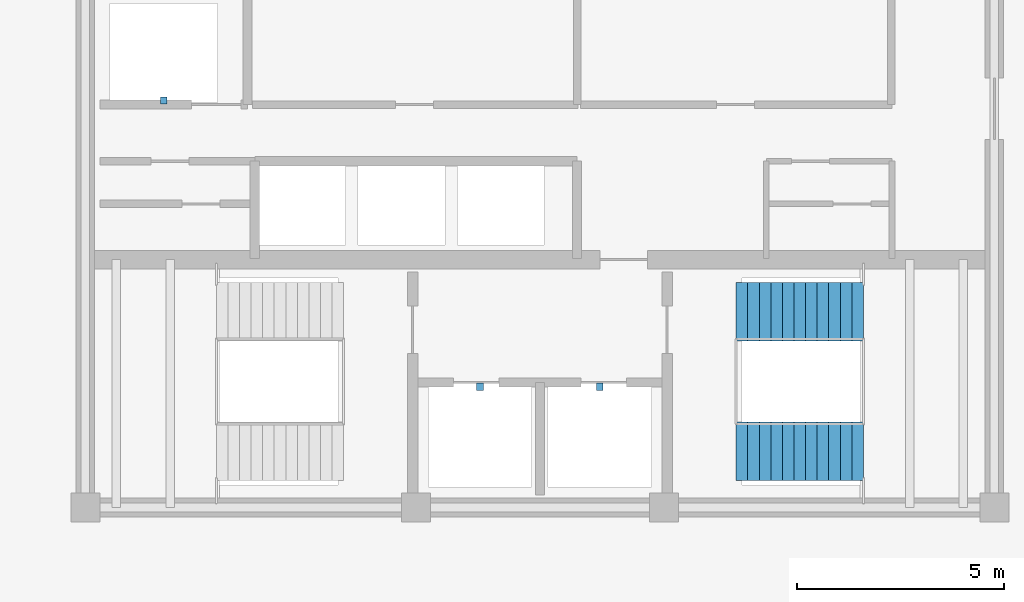
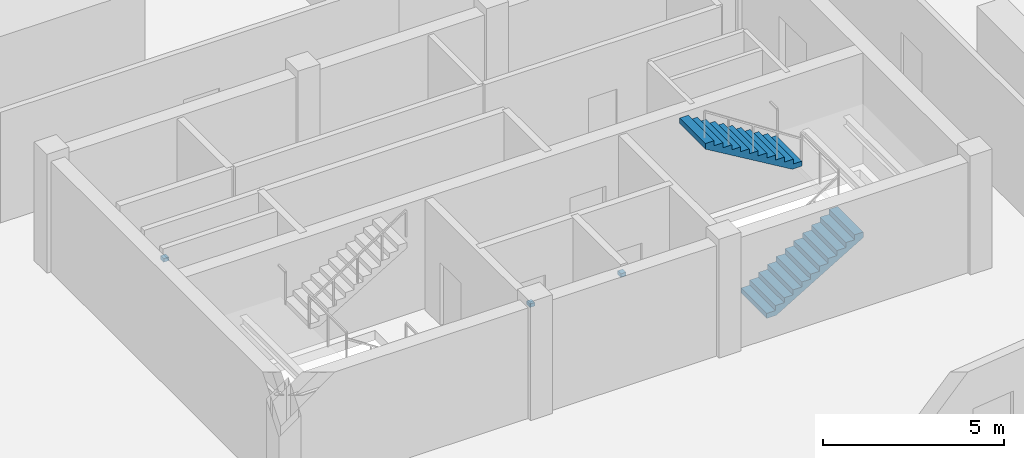
# One storey, part 3 of 5: 3 discrete accessories, 2 stair flights, 1 element without a shape of its own.
"""IFC4 building model written with IfcOpenShell, lengths in metres."""

from ifc_helpers import new_model, si_unit, direction, frame, origin, origin_2d, place, context, subcontext, project, spatial, polyline, rectangle, outline, extrude, material, layer, layer_set, type_object, element, aggregate, save


model = new_model("IFC4")

# Units and contexts
model_context = context("Model", 3, precision=1e-05, world=origin(), true_north=direction((0.0, 1.0)))
body_context = subcontext(model_context, "Body", "Model", "MODEL_VIEW")
ifc_project = project(units=[si_unit("LENGTHUNIT", "METRE"), si_unit("AREAUNIT", "SQUARE_METRE"), si_unit("VOLUMEUNIT", "CUBIC_METRE"), si_unit("PLANEANGLEUNIT", "RADIAN"), si_unit("MASSUNIT", "GRAM", prefix="KILO")], contexts=[model_context])

# Site, building, storey
site_placement = place(None, origin())
site = spatial("IfcSite", under=ifc_project, at=site_placement, CompositionType="ELEMENT")
building_placement = place(site_placement, origin())
building = spatial("IfcBuilding", under=site, at=building_placement, Name="Kazevale Care Tower and Concert Hall", CompositionType="ELEMENT")
storey_placement = place(building_placement, frame((0.0, 0.0, 292.800048828125)))
storey = spatial("IfcBuildingStorey", under=building, at=storey_placement, Name="L77", CompositionType="ELEMENT", Elevation=292.800048828125)

# Stair, stair flights
ifc_material_1 = material(Name="Concrete C40", Category="concrete")
stair_type = type_object("IfcStairType", Name="Exit Stair Assembly ST1-C", PredefinedType="HALF_TURN_STAIR", material=ifc_material_1)
stair_placement = place(storey_placement, origin())
stair = element("IfcStair", 1, at=stair_placement, inside=storey, type_object=stair_type, Name="stair:L77:ST2", PredefinedType="HALF_TURN_STAIR")
ifc_layer = layer(ifc_material_1, 0.159912109375)
ifc_layer_set = layer_set([ifc_layer], Name="Concrete C40")
stair_flight_type = type_object("IfcStairFlightType", Name="Exit Stair Flight ST1-C", PredefinedType="STRAIGHT", material=ifc_layer_set)
stair_flight_1_placement = place(storey_placement, frame((37.75, 24.9599609375, 0.0), z_axis=(0.0, 0.0, 1.0), x_axis=(1.0, 0.0, 0.0)))
stair_flight_1 = element("IfcStairFlight", 2, at=stair_flight_1_placement, type_object=stair_flight_type, Name="ST1-C flight 1", NumberOfRisers=12, NumberOfTreads=11, PredefinedType="STRAIGHT", RiserHeight=0.166667, TreadLength=0.28, context=body_context, shape_type="SweptSolid", body=[
    extrude(outline(polyline([(0.0, 0.0), (0.0, 0.166748046875), (0.280029296875, 0.166748046875), (0.280029296875, 0.333251953125), (0.56005859375, 0.333251953125), (0.56005859375, 0.5), (0.840087890625, 0.5), (0.840087890625, 0.666748046875), (1.1201171875, 0.666748046875), (1.1201171875, 0.833251953125), (1.39990234375, 0.833251953125), (1.39990234375, 1.0), (1.679931640625, 1.0), (1.679931640625, 1.166748046875), (1.9599609375, 1.166748046875), (1.9599609375, 1.333251953125), (2.239990234375, 1.333251953125), (2.239990234375, 1.5), (2.52001953125, 1.5), (2.52001953125, 1.666748046875), (2.800048828125, 1.666748046875), (2.800048828125, 1.833251953125), (3.080078125, 1.833251953125), (3.080078125, 2.0), (3.080078125, 1.647216796875), (0.312744140625, 0.0), (0.0, 0.0)])), frame((0.0, 0.7099609375, 0.0), z_axis=(0.0, -1.0, 0.0), x_axis=(1.0, 0.0, 0.0)), (0.0, 0.0, 1.0), 1.419921875),
])
stair_flight_2_placement = place(storey_placement, frame((40.830078125, 28.340087890625, 2.0), z_axis=(0.0, 0.0, 1.0), x_axis=(-1.0, 0.0, 0.0)))
stair_flight_2 = element("IfcStairFlight", 3, at=stair_flight_2_placement, type_object=stair_flight_type, Name="ST1-C flight 2", NumberOfRisers=12, NumberOfTreads=11, PredefinedType="STRAIGHT", RiserHeight=0.166667, TreadLength=0.28, context=body_context, shape_type="SweptSolid", body=[
    extrude(outline(polyline([(0.0, 0.0), (0.0, 0.166748046875), (0.280029296875, 0.166748046875), (0.280029296875, 0.333251953125), (0.56005859375, 0.333251953125), (0.56005859375, 0.5), (0.840087890625, 0.5), (0.840087890625, 0.666748046875), (1.1201171875, 0.666748046875), (1.1201171875, 0.833251953125), (1.39990234375, 0.833251953125), (1.39990234375, 1.0), (1.679931640625, 1.0), (1.679931640625, 1.166748046875), (1.9599609375, 1.166748046875), (1.9599609375, 1.333251953125), (2.239990234375, 1.333251953125), (2.239990234375, 1.5), (2.52001953125, 1.5), (2.52001953125, 1.666748046875), (2.800048828125, 1.666748046875), (2.800048828125, 1.833251953125), (3.080078125, 1.833251953125), (3.080078125, 2.0), (3.080078125, 1.647216796875), (0.312744140625, 0.0), (0.0, 0.0)])), frame((0.0, 0.7099609375, 0.0), z_axis=(0.0, -1.0, 0.0), x_axis=(1.0, 0.0, 0.0)), (0.0, 0.0, 1.0), 1.419921875),
])
aggregate(stair, [stair_flight_1, stair_flight_2])

# Discrete accessories
ifc_material_2 = material(Name="Stainless Steel 316", Category="steel")
discrete_accessory_type = type_object("IfcDiscreteAccessoryType", Name="Hoistway Guide-Rail Wall Bracket HBRK-1", PredefinedType="BRACKET", material=ifc_material_2)
for number, where, z_axis, x_axis, name in (
    (4, (31.550048828125, 26.52001953125, 1.239990234375), (0.0, 0.0, 1.0), (1.0, 0.0, 0.0), "hbrk:FFL-1:L77"),
    (5, (34.449951171875, 26.52001953125, 1.239990234375), (0.0, 0.0, 1.0), (1.0, 0.0, 0.0), "hbrk:FFL-2:L77"),
    (6, (23.89990234375, 33.449951171875, 1.239990234375), (0.0, 0.0, 1.0), (1.0, 0.0, 0.0), "hbrk:SVL-1:L77"),
):
    element("IfcDiscreteAccessory", number, at=place(storey_placement, frame(where, z_axis=z_axis, x_axis=x_axis)), inside=storey, type_object=discrete_accessory_type, Name=name, PredefinedType="BRACKET", context=body_context, shape_type="SweptSolid", body=[
        extrude(rectangle(XDim=0.159912109375, YDim=0.179931640625, at=origin_2d()), origin(), (0.0, 0.0, 1.0), 0.1201171875),
    ])

save(model, "model.ifc")
